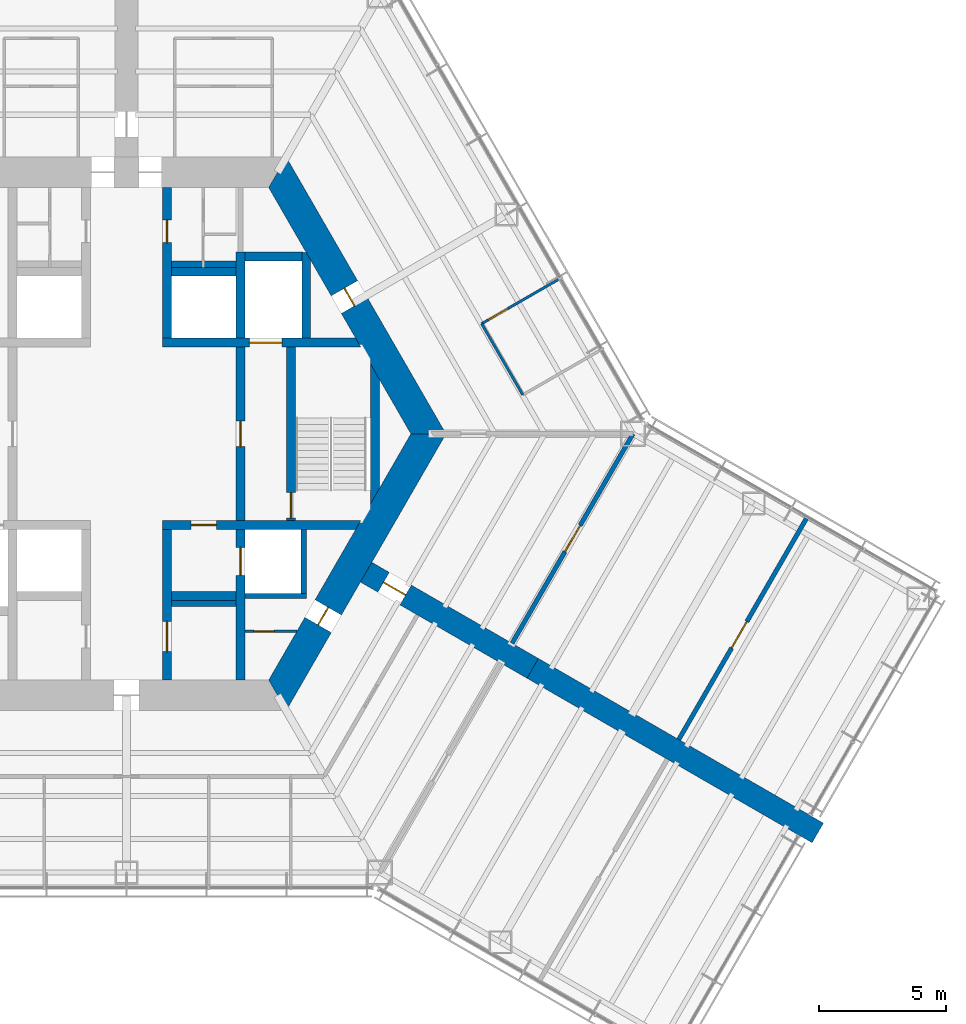
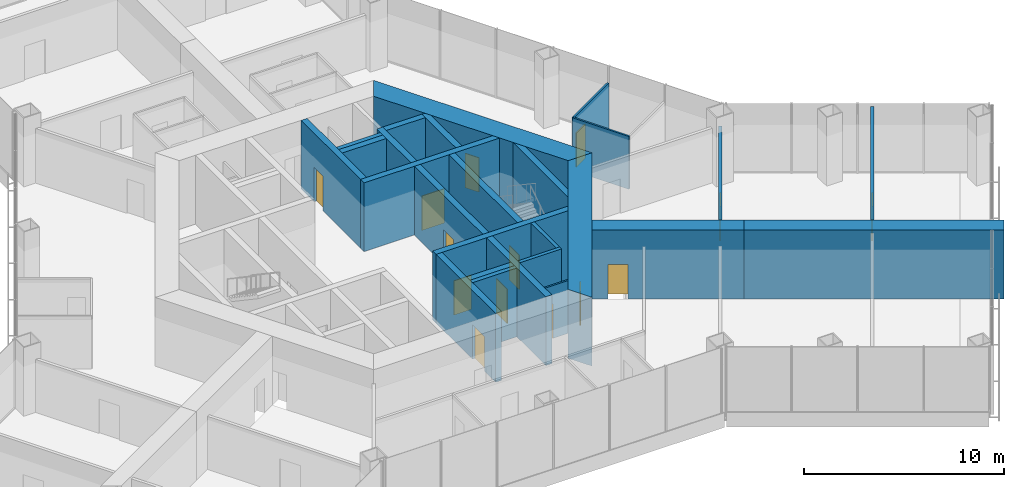
# One storey, part 12 of 16: 26 walls, 14 doors, 14 openings.
"""IFC4 building model written with IfcOpenShell, lengths in metres."""

from ifc_helpers import new_model, si_unit, direction, frame, frame_2d, origin, place, context, subcontext, project, spatial, polyline, rectangle, outline, extrude, material, layer, layer_set, type_object, element, fill, save


model = new_model("IFC4")

# Units and contexts
model_context = context("Model", 3, precision=1e-05, world=origin(), true_north=direction((0.0, 1.0)))
body_context = subcontext(model_context, "Body", "Model", "MODEL_VIEW")
ifc_project = project(units=[si_unit("LENGTHUNIT", "METRE"), si_unit("AREAUNIT", "SQUARE_METRE"), si_unit("VOLUMEUNIT", "CUBIC_METRE"), si_unit("PLANEANGLEUNIT", "RADIAN"), si_unit("MASSUNIT", "GRAM", prefix="KILO")], contexts=[model_context])

# Site, building, storey
site_placement = place(None, origin())
site = spatial("IfcSite", under=ifc_project, at=site_placement, CompositionType="ELEMENT")
building_placement = place(site_placement, origin())
building = spatial("IfcBuilding", under=site, at=building_placement, Name="Kasaneha Research Tower", CompositionType="ELEMENT")
storey_placement = place(building_placement, frame((0.0, 0.0, 26.800048828125)))
storey = spatial("IfcBuildingStorey", under=building, at=storey_placement, Name="L07", CompositionType="ELEMENT", Elevation=26.800048828125)

# Wall, opening, door
ifc_material_1 = material(Name="Concrete Fc100", Category="concrete")
ifc_layer_1 = layer(ifc_material_1, 0.35009765625)
ifc_layer_set_1 = layer_set([ifc_layer_1], Name="Core internal wall 350 Fc100")
wall_type_1 = type_object("IfcWallType", Name="Core internal wall 350 Fc100", PredefinedType="SHEAR", material=ifc_layer_set_1)
wall_1_placement = place(storey_placement, frame((1.425048828125, 3.60009765625, 0.0), z_axis=(0.0, 0.0, 1.0), x_axis=(1.0, 0.0, 0.0)))
wall_1 = element("IfcWall", 1, at=wall_1_placement, inside=storey, type_object=wall_type_1, Name="Core wall W1E L07", PredefinedType="SHEAR", context=body_context, shape_type="SweptSolid", body=[
    extrude(outline(polyline([(0.0, -0.175048828125), (3.425048828125, -0.175048828125), (4.72509765625, -0.175048828125), (7.8271484375, -0.175048828125), (7.625, 0.175048828125), (4.72509765625, 0.175048828125), (3.425048828125, 0.175048828125), (0.0, 0.175048828125), (0.0, -0.175048828125)])), origin(), (0.0, 0.0, 1.0), 4.199951171875),
])
opening_1_placement = place(wall_1_placement, frame((3.425048828125, 0.0, 0.0)))
opening_1 = element("IfcOpeningElement", 2, at=opening_1_placement, cuts=wall_1, Name="Opening LD-FL1-L07", PredefinedType="OPENING", context=body_context, shape_type="SweptSolid", body=[
    extrude(rectangle(XDim=1.300048828125, YDim=2.10009765625, at=frame_2d((0.64990234375, 1.050048828125))), frame((0.0, 0.18505859375, 0.0), z_axis=(0.0, -1.0, 0.0), x_axis=(1.0, 0.0, 0.0)), (0.0, 0.0, 1.0), 0.3701171875),
])
ifc_material_2 = material(Name="Steel", Category="steel")
door_type_1 = type_object("IfcDoorType", Name="Lift landing door 1300x2100", OperationType="DOUBLE_DOOR_SLIDING", PredefinedType="DOOR", material=ifc_material_2)
door_1_placement = place(opening_1_placement, origin())
door_1 = element("IfcDoor", 3, at=door_1_placement, inside=storey, type_object=door_type_1, Name="Landing door FL1 LD-FL1-L07", OperationType="DOUBLE_DOOR_SLIDING", OverallHeight=2.10009765625, OverallWidth=1.300048828125, PredefinedType="DOOR", context=body_context, shape_type="SweptSolid", body=[
    extrude(rectangle(XDim=1.300048828125, YDim=2.10009765625, at=frame_2d((0.64990234375, 1.050048828125))), frame((0.0, 0.02490234375, 0.0), z_axis=(0.0, -1.0, 0.0), x_axis=(1.0, 0.0, 0.0)), (0.0, 0.0, 1.0), 0.050048828125),
])
fill(opening_1, door_1)

wall_2_placement = place(storey_placement, frame((1.425048828125, -3.60009765625, 0.0), z_axis=(0.0, 0.0, 1.0), x_axis=(1.0, 0.0, 0.0)))
wall_2 = element("IfcWall", 4, at=wall_2_placement, inside=storey, type_object=wall_type_1, Name="Core wall W2E L07", PredefinedType="SHEAR", context=body_context, shape_type="SweptSolid", body=[
    extrude(outline(polyline([(0.0, -0.175048828125), (1.125, -0.175048828125), (2.125, -0.175048828125), (7.625, -0.175048828125), (7.8271484375, 0.175048828125), (2.125, 0.175048828125), (1.125, 0.175048828125), (0.0, 0.175048828125), (0.0, -0.175048828125)])), origin(), (0.0, 0.0, 1.0), 4.199951171875),
])
opening_2_placement = place(wall_2_placement, frame((1.125, 0.0, 0.0)))
opening_2 = element("IfcOpeningElement", 5, at=opening_2_placement, cuts=wall_2, Name="Opening L07-LV", PredefinedType="OPENING", context=body_context, shape_type="SweptSolid", body=[
    extrude(rectangle(XDim=1.0, YDim=2.10009765625, at=frame_2d((0.5, 1.050048828125))), frame((0.0, 0.18505859375, 0.0), z_axis=(0.0, -1.0, 0.0), x_axis=(1.0, 0.0, 0.0)), (0.0, 0.0, 1.0), 0.3701171875),
])
ifc_material_3 = material(Name="Steel", Category="steel")
door_type_2 = type_object("IfcDoorType", Name="Specified fire door FD60 1000x2100", OperationType="NOTDEFINED", PredefinedType="DOOR", material=ifc_material_3)
door_2_placement = place(opening_2_placement, origin())
door_2 = element("IfcDoor", 6, at=door_2_placement, inside=storey, type_object=door_type_2, Name="Podium vestibule door L07-LV", OperationType="SINGLE_SWING_LEFT", OverallHeight=2.10009765625, OverallWidth=1.0, PredefinedType="DOOR", context=body_context, shape_type="SweptSolid", body=[
    extrude(rectangle(XDim=1.0, YDim=2.10009765625, at=frame_2d((0.5, 1.050048828125))), frame((0.0, 0.02490234375, 0.0), z_axis=(0.0, -1.0, 0.0), x_axis=(1.0, 0.0, 0.0)), (0.0, 0.0, 1.0), 0.050048828125),
])
fill(opening_2, door_2)

wall_3_placement = place(storey_placement, frame((1.60009765625, 3.77490234375, 0.0), z_axis=(0.0, 0.0, 1.0), x_axis=(0.0, 1.0, 0.0)))
wall_3 = element("IfcWall", 7, at=wall_3_placement, inside=storey, type_object=wall_type_1, Name="Core wall CNE L07", PredefinedType="SHEAR", context=body_context, shape_type="SweptSolid", body=[
    extrude(rectangle(XDim=5.9501953125, YDim=0.35009765625, at=frame_2d((2.97509765625, 0.0))), origin(), (0.0, 0.0, 1.0), 4.199951171875),
])
opening_3_placement = place(wall_3_placement, frame((3.77490234375, 0.0, 0.0)))
opening_3 = element("IfcOpeningElement", 8, at=opening_3_placement, cuts=wall_3, Name="Opening L07-D14", PredefinedType="OPENING", context=body_context, shape_type="SweptSolid", body=[
    extrude(rectangle(XDim=0.89990234375, YDim=2.10009765625, at=frame_2d((0.449951171875, 1.050048828125))), frame((0.0, 0.18505859375, 0.0), z_axis=(0.0, -1.0, 0.0), x_axis=(1.0, 0.0, 0.0)), (0.0, 0.0, 1.0), 0.3701171875),
])
ifc_material_4 = material(Name="Steel", Category="steel")
door_type_3 = type_object("IfcDoorType", Name="Toilet door FD20 900x2100", OperationType="NOTDEFINED", PredefinedType="DOOR", material=ifc_material_4)
door_3_placement = place(opening_3_placement, origin())
door_3 = element("IfcDoor", 9, at=door_3_placement, inside=storey, type_object=door_type_3, Name="Women's WC door L07-D14", OperationType="SINGLE_SWING_LEFT", OverallHeight=2.10009765625, OverallWidth=0.89990234375, PredefinedType="DOOR", context=body_context, shape_type="SweptSolid", body=[
    extrude(rectangle(XDim=0.89990234375, YDim=2.10009765625, at=frame_2d((0.449951171875, 1.050048828125))), frame((0.0, 0.02490234375, 0.0), z_axis=(0.0, -1.0, 0.0), x_axis=(1.0, 0.0, 0.0)), (0.0, 0.0, 1.0), 0.050048828125),
])
fill(opening_3, door_3)

wall_4_placement = place(storey_placement, frame((1.60009765625, -3.77490234375, 0.0), z_axis=(0.0, 0.0, 1.0), x_axis=(0.0, -1.0, 0.0)))
wall_4 = element("IfcWall", 10, at=wall_4_placement, inside=storey, type_object=wall_type_1, Name="Core wall CSE L07", PredefinedType="SHEAR", context=body_context, shape_type="SweptSolid", body=[
    extrude(rectangle(XDim=5.9501953125, YDim=0.35009765625, at=frame_2d((2.97509765625, 0.0))), origin(), (0.0, 0.0, 1.0), 4.199951171875),
])
opening_4_placement = place(wall_4_placement, frame((3.625, 0.0, 0.0)))
opening_4 = element("IfcOpeningElement", 11, at=opening_4_placement, cuts=wall_4, Name="Opening L07-D15", PredefinedType="OPENING", context=body_context, shape_type="SweptSolid", body=[
    extrude(rectangle(XDim=1.199951171875, YDim=2.10009765625, at=frame_2d((0.60009765625, 1.050048828125))), frame((0.0, 0.18505859375, 0.0), z_axis=(0.0, -1.0, 0.0), x_axis=(1.0, 0.0, 0.0)), (0.0, 0.0, 1.0), 0.3701171875),
])
ifc_material_5 = material(Name="Steel", Category="steel")
door_type_4 = type_object("IfcDoorType", Name="Accessible toilet sliding door FD20 1200x2100", OperationType="SLIDING_TO_LEFT", PredefinedType="DOOR", material=ifc_material_5)
door_4_placement = place(opening_4_placement, origin())
door_4 = element("IfcDoor", 12, at=door_4_placement, inside=storey, type_object=door_type_4, Name="Accessible WC door L07-D15", OperationType="SLIDING_TO_LEFT", OverallHeight=2.10009765625, OverallWidth=1.199951171875, PredefinedType="DOOR", context=body_context, shape_type="SweptSolid", body=[
    extrude(rectangle(XDim=1.199951171875, YDim=2.10009765625, at=frame_2d((0.60009765625, 1.050048828125))), frame((0.0, 0.02490234375, 0.0), z_axis=(0.0, -1.0, 0.0), x_axis=(1.0, 0.0, 0.0)), (0.0, 0.0, 1.0), 0.050048828125),
])
fill(opening_4, door_4)

wall_5_placement = place(storey_placement, frame((4.5, -3.425048828125, 0.0), z_axis=(0.0, 0.0, 1.0), x_axis=(0.0, 1.0, 0.0)))
wall_5 = element("IfcWall", 13, at=wall_5_placement, inside=storey, type_object=wall_type_1, Name="Core wall LBE L07", PredefinedType="SHEAR", context=body_context, shape_type="SweptSolid", body=[
    extrude(rectangle(XDim=6.85009765625, YDim=0.35009765625, at=frame_2d((3.425048828125, 0.0))), origin(), (0.0, 0.0, 1.0), 4.199951171875),
])
opening_5_placement = place(wall_5_placement, frame((2.925048828125, 0.0, 0.0)))
opening_5 = element("IfcOpeningElement", 14, at=opening_5_placement, cuts=wall_5, Name="Opening L07-D08", PredefinedType="OPENING", context=body_context, shape_type="SweptSolid", body=[
    extrude(rectangle(XDim=1.0, YDim=2.10009765625, at=frame_2d((0.5, 1.050048828125))), frame((0.0, 0.18505859375, 0.0), z_axis=(0.0, -1.0, 0.0), x_axis=(1.0, 0.0, 0.0)), (0.0, 0.0, 1.0), 0.3701171875),
])
door_5_placement = place(opening_5_placement, origin())
door_5 = element("IfcDoor", 15, at=door_5_placement, inside=storey, type_object=door_type_2, Name="Lift lobby door east L07-D08", OperationType="SINGLE_SWING_LEFT", OverallHeight=2.10009765625, OverallWidth=1.0, PredefinedType="DOOR", context=body_context, shape_type="SweptSolid", body=[
    extrude(rectangle(XDim=1.0, YDim=2.10009765625, at=frame_2d((0.5, 1.050048828125))), frame((0.0, 0.02490234375, 0.0), z_axis=(0.0, -1.0, 0.0), x_axis=(1.0, 0.0, 0.0)), (0.0, 0.0, 1.0), 0.050048828125),
])
fill(opening_5, door_5)

wall_6_placement = place(storey_placement, frame((6.5, -3.425048828125, 0.0), z_axis=(0.0, 0.0, 1.0), x_axis=(0.0, 1.0, 0.0)))
wall_6 = element("IfcWall", 16, at=wall_6_placement, inside=storey, type_object=wall_type_1, Name="Core wall ANE L07", PredefinedType="SHEAR", context=body_context, shape_type="SweptSolid", body=[
    extrude(rectangle(XDim=6.85009765625, YDim=0.35009765625, at=frame_2d((3.425048828125, 0.0))), origin(), (0.0, 0.0, 1.0), 4.199951171875),
])
opening_6_placement = place(wall_6_placement, frame((0.10009765625, 0.0, 0.0)))
opening_6 = element("IfcOpeningElement", 17, at=opening_6_placement, cuts=wall_6, Name="Opening L07-D10", PredefinedType="OPENING", context=body_context, shape_type="SweptSolid", body=[
    extrude(rectangle(XDim=1.0, YDim=2.10009765625, at=frame_2d((0.5, 1.050048828125))), frame((0.0, 0.18505859375, 0.0), z_axis=(0.0, -1.0, 0.0), x_axis=(1.0, 0.0, 0.0)), (0.0, 0.0, 1.0), 0.3701171875),
])
door_6_placement = place(opening_6_placement, origin())
door_6 = element("IfcDoor", 18, at=door_6_placement, inside=storey, type_object=door_type_2, Name="Stair 1 door L07-D10", OperationType="SINGLE_SWING_LEFT", OverallHeight=2.10009765625, OverallWidth=1.0, PredefinedType="DOOR", context=body_context, shape_type="SweptSolid", body=[
    extrude(rectangle(XDim=1.0, YDim=2.10009765625, at=frame_2d((0.5, 1.050048828125))), frame((0.0, 0.02490234375, 0.0), z_axis=(0.0, -1.0, 0.0), x_axis=(1.0, 0.0, 0.0)), (0.0, 0.0, 1.0), 0.050048828125),
])
fill(opening_6, door_6)

# Wall
wall_7_placement = place(storey_placement, frame((4.5, 3.77490234375, 0.0), z_axis=(0.0, 0.0, 1.0), x_axis=(0.0, 1.0, 0.0)))
element("IfcWall", 19, at=wall_7_placement, inside=storey, type_object=wall_type_1, Name="Core wall FNE L07", PredefinedType="SHEAR", context=body_context, shape_type="SweptSolid", body=[
    extrude(rectangle(XDim=3.400146484375, YDim=0.35009765625, at=frame_2d((1.7001953125, 0.0))), origin(), (0.0, 0.0, 1.0), 4.199951171875),
])

# Wall, opening, door
wall_8_placement = place(storey_placement, frame((4.5, -3.77490234375, 0.0), z_axis=(0.0, 0.0, 1.0), x_axis=(0.0, -1.0, 0.0)))
wall_8 = element("IfcWall", 20, at=wall_8_placement, inside=storey, type_object=wall_type_1, Name="Core wall SSE L07", PredefinedType="SHEAR", context=body_context, shape_type="SweptSolid", body=[
    extrude(rectangle(XDim=5.9501953125, YDim=0.35009765625, at=frame_2d((2.97509765625, 0.0))), origin(), (0.0, 0.0, 1.0), 4.199951171875),
])
opening_7_placement = place(wall_8_placement, frame((0.71240234375, 0.0, 0.0)))
opening_7 = element("IfcOpeningElement", 21, at=opening_7_placement, cuts=wall_8, Name="Opening LD-PL1-L07", PredefinedType="OPENING", context=body_context, shape_type="SweptSolid", body=[
    extrude(rectangle(XDim=1.10009765625, YDim=2.10009765625, at=frame_2d((0.550048828125, 1.050048828125))), frame((0.0, 0.18505859375, 0.0), z_axis=(0.0, -1.0, 0.0), x_axis=(1.0, 0.0, 0.0)), (0.0, 0.0, 1.0), 0.3701171875),
])
ifc_material_6 = material(Name="Steel", Category="steel")
door_type_5 = type_object("IfcDoorType", Name="Lift landing door 1100x2100", OperationType="DOUBLE_DOOR_SLIDING", PredefinedType="DOOR", material=ifc_material_6)
door_7_placement = place(opening_7_placement, origin())
door_7 = element("IfcDoor", 22, at=door_7_placement, inside=storey, type_object=door_type_5, Name="Landing door PL1 LD-PL1-L07", OperationType="DOUBLE_DOOR_SLIDING", OverallHeight=2.10009765625, OverallWidth=1.10009765625, PredefinedType="DOOR", context=body_context, shape_type="SweptSolid", body=[
    extrude(rectangle(XDim=1.10009765625, YDim=2.10009765625, at=frame_2d((0.550048828125, 1.050048828125))), frame((0.0, 0.02490234375, 0.0), z_axis=(0.0, -1.0, 0.0), x_axis=(1.0, 0.0, 0.0)), (0.0, 0.0, 1.0), 0.050048828125),
])
fill(opening_7, door_7)

# Walls
for number, where, z_axis, x_axis, name in (
    (23, (1.77490234375, 6.39990234375, 0.0), (0.0, 0.0, 1.0), (1.0, 0.0, 0.0), "Core wall N3N L07"),
    (24, (1.77490234375, -6.39990234375, 0.0), (0.0, 0.0, 1.0), (1.0, 0.0, 0.0), "Core wall S3S L07"),
):
    element("IfcWall", number, at=place(storey_placement, frame(where, z_axis=z_axis, x_axis=x_axis)), inside=storey, type_object=wall_type_1, Name=name, PredefinedType="SHEAR", context=body_context, shape_type="SweptSolid", body=[
        extrude(rectangle(XDim=2.550048828125, YDim=0.35009765625, at=frame_2d((1.27490234375, 0.0))), origin(), (0.0, 0.0, 1.0), 4.199951171875),
    ])
wall_9_placement = place(storey_placement, frame((4.675048828125, 7.0, 0.0), z_axis=(0.0, 0.0, 1.0), x_axis=(1.0, 0.0, 0.0)))
element("IfcWall", 25, at=wall_9_placement, inside=storey, type_object=wall_type_1, Name="Core wall F1N L07", PredefinedType="SHEAR", context=body_context, shape_type="SweptSolid", body=[
    extrude(rectangle(XDim=2.25, YDim=0.35009765625, at=frame_2d((1.125, 0.0))), origin(), (0.0, 0.0, 1.0), 4.199951171875),
])
wall_10_placement = place(storey_placement, frame((7.10009765625, 3.77490234375, 0.0), z_axis=(0.0, 0.0, 1.0), x_axis=(0.0, 1.0, 0.0)))
element("IfcWall", 26, at=wall_10_placement, inside=storey, type_object=wall_type_1, Name="Core wall F1E L07", PredefinedType="SHEAR", context=body_context, shape_type="SweptSolid", body=[
    extrude(outline(polyline([(0.0, -0.175048828125), (3.07421875, -0.175048828125), (3.37744140625, 0.0), (3.39990234375, 0.175048828125), (0.0, 0.175048828125), (0.0, -0.175048828125)])), origin(), (0.0, 0.0, 1.0), 4.199951171875),
])
wall_11_placement = place(storey_placement, frame((9.807861328125, -2.462158203125, 0.0), z_axis=(0.0, 0.0, 1.0), x_axis=(0.0, 1.0, 0.0)))
element("IfcWall", 27, at=wall_11_placement, inside=storey, type_object=wall_type_1, Name="Core wall STE L07", PredefinedType="SHEAR", context=body_context, shape_type="SweptSolid", body=[
    extrude(outline(polyline([(0.30322265625, -0.175048828125), (4.62109375, -0.175048828125), (5.2275390625, 0.175048828125), (-0.30322265625, 0.175048828125), (0.30322265625, -0.175048828125)])), origin(), (0.0, 0.0, 1.0), 4.199951171875),
])

# Wall, opening, door
ifc_material_7 = material(Name="Concrete Fc100", Category="concrete")
ifc_layer_2 = layer(ifc_material_7, 1.199951171875)
ifc_layer_set_2 = layer_set([ifc_layer_2], Name="Core wall 1200 Fc100")
wall_type_2 = type_object("IfcWallType", Name="Core wall 1200 Fc100", PredefinedType="SHEAR", material=ifc_layer_set_2)
wall_12_placement = place(storey_placement, frame((11.92236328125, 0.0, 0.0), z_axis=(0.0, 0.0, 1.0), x_axis=(-0.500004296715, 0.866022923061, 0.0)))
wall_12 = element("IfcWall", 28, at=wall_12_placement, inside=storey, type_object=wall_type_2, Name="Core wall 030 L07", PredefinedType="SHEAR", context=body_context, shape_type="SweptSolid", body=[
    extrude(outline(polyline([(-0.346435546875, -0.60009765625), (5.83544921875, -0.60009765625), (6.635498046875, -0.60009765625), (12.268798828125, -0.60009765625), (11.575927734375, 0.60009765625), (6.635498046875, 0.60009765625), (5.83544921875, 0.60009765625), (0.346435546875, 0.60009765625), (-0.346435546875, -0.60009765625)])), origin(), (0.0, 0.0, 1.0), 4.199951171875),
])
opening_8_placement = place(wall_12_placement, frame((5.83544921875, 0.0, 0.0)))
opening_8 = element("IfcOpeningElement", 29, at=opening_8_placement, cuts=wall_12, Name="Opening L07-D04", PredefinedType="OPENING", context=body_context, shape_type="SweptSolid", body=[
    extrude(rectangle(XDim=0.800048828125, YDim=2.10009765625, at=frame_2d((0.39990234375, 1.050048828125))), frame((0.0, 0.60986328125, 0.0), z_axis=(0.0, -1.0, 0.0), x_axis=(1.0, 0.0, 0.0)), (0.0, 0.0, 1.0), 1.219970703125),
])
ifc_material_8 = material(Name="Steel", Category="steel")
door_type_6 = type_object("IfcDoorType", Name="Riser access door FD60 800x2100", OperationType="NOTDEFINED", PredefinedType="DOOR", material=ifc_material_8)
door_8_placement = place(opening_8_placement, origin())
door_8 = element("IfcDoor", 30, at=door_8_placement, inside=storey, type_object=door_type_6, Name="Pipe riser door L07-D04", OperationType="SINGLE_SWING_RIGHT", OverallHeight=2.10009765625, OverallWidth=0.800048828125, PredefinedType="DOOR", context=body_context, shape_type="SweptSolid", body=[
    extrude(rectangle(XDim=0.800048828125, YDim=2.10009765625, at=frame_2d((0.39990234375, 1.050048828125))), frame((0.0, 0.02490234375, 0.0), z_axis=(0.0, -1.0, 0.0), x_axis=(1.0, 0.0, 0.0)), (0.0, 0.0, 1.0), 0.050048828125),
])
fill(opening_8, door_8)

wall_13_placement = place(storey_placement, frame((5.961181640625, -10.324951171875, 0.0), z_axis=(0.0, 0.0, 1.0), x_axis=(0.500004296715, 0.866022923061, 0.0)))
wall_13 = element("IfcWall", 31, at=wall_13_placement, inside=storey, type_object=wall_type_2, Name="Core wall 330 L07", PredefinedType="SHEAR", context=body_context, shape_type="SweptSolid", body=[
    extrude(outline(polyline([(-0.346435546875, -0.60009765625), (3.20849609375, -0.60009765625), (4.008544921875, -0.60009765625), (12.268798828125, -0.60009765625), (11.575927734375, 0.60009765625), (4.008544921875, 0.60009765625), (3.20849609375, 0.60009765625), (0.346435546875, 0.60009765625), (-0.346435546875, -0.60009765625)])), origin(), (0.0, 0.0, 1.0), 4.199951171875),
])
opening_9_placement = place(wall_13_placement, frame((3.20849609375, 0.0, 0.0)))
opening_9 = element("IfcOpeningElement", 32, at=opening_9_placement, cuts=wall_13, Name="Opening L07-D05", PredefinedType="OPENING", context=body_context, shape_type="SweptSolid", body=[
    extrude(rectangle(XDim=0.800048828125, YDim=2.10009765625, at=frame_2d((0.39990234375, 1.050048828125))), frame((0.0, 0.60986328125, 0.0), z_axis=(0.0, -1.0, 0.0), x_axis=(1.0, 0.0, 0.0)), (0.0, 0.0, 1.0), 1.219970703125),
])
door_9_placement = place(opening_9_placement, origin())
door_9 = element("IfcDoor", 33, at=door_9_placement, inside=storey, type_object=door_type_6, Name="Pipe riser door L07-D05", OperationType="SINGLE_SWING_LEFT", OverallHeight=2.10009765625, OverallWidth=0.800048828125, PredefinedType="DOOR", context=body_context, shape_type="SweptSolid", body=[
    extrude(rectangle(XDim=0.800048828125, YDim=2.10009765625, at=frame_2d((0.39990234375, 1.050048828125))), frame((0.0, 0.02490234375, 0.0), z_axis=(0.0, -1.0, 0.0), x_axis=(1.0, 0.0, 0.0)), (0.0, 0.0, 1.0), 0.050048828125),
])
fill(opening_9, door_9)

ifc_material_9 = material(Name="Gypsum board on steel studs, two layers each side", Category="steel")
ifc_layer_3 = layer(ifc_material_9, 0.175048828125)
ifc_layer_set_3 = layer_set([ifc_layer_3], Name="Laboratory fire partition 175")
wall_type_3 = type_object("IfcWallType", Name="Laboratory fire partition 175", PredefinedType="PARTITIONING", material=ifc_layer_set_3)
wall_14_placement = place(storey_placement, frame((15.22509765625, -8.2705078125, 0.0), z_axis=(0.0, 0.0, 1.0), x_axis=(0.499993908199, 0.866028920859, 0.0)))
wall_14 = element("IfcWall", 34, at=wall_14_placement, inside=storey, type_object=wall_type_3, Name="Laboratory fire partition LABC-E L07", PredefinedType="PARTITIONING", context=body_context, shape_type="SweptSolid", body=[
    extrude(rectangle(XDim=9.5498046875, YDim=0.175048828125, at=frame_2d((4.77490234375, 0.0))), origin(), (0.0, 0.0, 1.0), 3.238037109375),
])
opening_10_placement = place(wall_14_placement, frame((4.175048828125, 0.0, 0.0)))
opening_10 = element("IfcOpeningElement", 35, at=opening_10_placement, cuts=wall_14, Name="Opening L07-D42", PredefinedType="OPENING", context=body_context, shape_type="SweptSolid", body=[
    extrude(rectangle(XDim=1.199951171875, YDim=2.10009765625, at=frame_2d((0.60009765625, 1.050048828125))), frame((0.0, 0.09765625, 0.0), z_axis=(0.0, -1.0, 0.0), x_axis=(1.0, 0.0, 0.0)), (0.0, 0.0, 1.0), 0.195068359375),
])
ifc_material_10 = material(Name="Steel", Category="steel")
door_type_7 = type_object("IfcDoorType", Name="Laboratory door FD60 1200x2100", OperationType="DOUBLE_DOOR_SINGLE_SWING", PredefinedType="DOOR", material=ifc_material_10)
door_10_placement = place(opening_10_placement, origin())
door_10 = element("IfcDoor", 36, at=door_10_placement, inside=storey, type_object=door_type_7, Name="Laboratory door L07-D42", OperationType="DOUBLE_DOOR_SINGLE_SWING", OverallHeight=2.10009765625, OverallWidth=1.199951171875, PredefinedType="DOOR", context=body_context, shape_type="SweptSolid", body=[
    extrude(rectangle(XDim=1.199951171875, YDim=2.10009765625, at=frame_2d((0.60009765625, 1.050048828125))), frame((0.0, 0.02490234375, 0.0), z_axis=(0.0, -1.0, 0.0), x_axis=(1.0, 0.0, 0.0)), (0.0, 0.0, 1.0), 0.050048828125),
])
fill(opening_10, door_10)

wall_15_placement = place(storey_placement, frame((21.806884765625, -12.070556640625, 0.0), z_axis=(0.0, 0.0, 1.0), x_axis=(0.499994227129, 0.866028736727, 0.0)))
wall_15 = element("IfcWall", 37, at=wall_15_placement, inside=storey, type_object=wall_type_3, Name="Laboratory fire partition SUPC-E L07", PredefinedType="PARTITIONING", context=body_context, shape_type="SweptSolid", body=[
    extrude(rectangle(XDim=10.134765625, YDim=0.175048828125, at=frame_2d((5.0673828125, 0.0))), origin(), (0.0, 0.0, 1.0), 4.030029296875),
])
opening_11_placement = place(wall_15_placement, frame((4.175048828125, 0.0, 0.0)))
opening_11 = element("IfcOpeningElement", 38, at=opening_11_placement, cuts=wall_15, Name="Opening L07-D43", PredefinedType="OPENING", context=body_context, shape_type="SweptSolid", body=[
    extrude(rectangle(XDim=1.199951171875, YDim=2.10009765625, at=frame_2d((0.60009765625, 1.050048828125))), frame((0.0, 0.09765625, 0.0), z_axis=(0.0, -1.0, 0.0), x_axis=(1.0, 0.0, 0.0)), (0.0, 0.0, 1.0), 0.195068359375),
])
door_11_placement = place(opening_11_placement, origin())
door_11 = element("IfcDoor", 39, at=door_11_placement, inside=storey, type_object=door_type_7, Name="Laboratory support room door L07-D43", OperationType="DOUBLE_DOOR_SINGLE_SWING", OverallHeight=2.10009765625, OverallWidth=1.199951171875, PredefinedType="DOOR", context=body_context, shape_type="SweptSolid", body=[
    extrude(rectangle(XDim=1.199951171875, YDim=2.10009765625, at=frame_2d((0.60009765625, 1.050048828125))), frame((0.0, 0.02490234375, 0.0), z_axis=(0.0, -1.0, 0.0), x_axis=(1.0, 0.0, 0.0)), (0.0, 0.0, 1.0), 0.050048828125),
])
fill(opening_11, door_11)

# Walls
ifc_material_11 = material(Name="Concrete block", Category="concrete")
ifc_layer_4 = layer(ifc_material_11, 0.199951171875)
ifc_layer_set_4 = layer_set([ifc_layer_4], Name="Lift shaft wall 200")
wall_type_4 = type_object("IfcWallType", Name="Lift shaft wall 200", PredefinedType="STANDARD", material=ifc_layer_set_4)
wall_16_placement = place(storey_placement, frame((4.675048828125, -6.39990234375, 0.0), z_axis=(0.0, 0.0, 1.0), x_axis=(1.0, 0.0, 0.0)))
element("IfcWall", 40, at=wall_16_placement, inside=storey, type_object=wall_type_4, Name="Lift shaft wall P1S L07", PredefinedType="STANDARD", context=body_context, shape_type="SweptSolid", body=[
    extrude(rectangle(XDim=2.425048828125, YDim=0.199951171875, at=frame_2d((1.21240234375, 0.0))), origin(), (0.0, 0.0, 1.0), 4.199951171875),
])
wall_17_placement = place(storey_placement, frame((7.0, -3.77490234375, 0.0), z_axis=(0.0, 0.0, 1.0), x_axis=(0.0, -1.0, 0.0)))
element("IfcWall", 41, at=wall_17_placement, inside=storey, type_object=wall_type_4, Name="Lift shaft wall P1E L07", PredefinedType="STANDARD", context=body_context, shape_type="SweptSolid", body=[
    extrude(rectangle(XDim=2.525146484375, YDim=0.199951171875, at=frame_2d((1.2626953125, 0.0))), origin(), (0.0, 0.0, 1.0), 4.199951171875),
])

# Wall, opening, door
ifc_material_12 = material(Name="Gypsum board on steel studs, one layer each side", Category="steel")
ifc_layer_5 = layer(ifc_material_12, 0.10009765625)
ifc_layer_set_5 = layer_set([ifc_layer_5], Name="Office partition 100")
wall_type_5 = type_object("IfcWallType", Name="Office partition 100", PredefinedType="PARTITIONING", material=ifc_layer_set_5)
wall_18_placement = place(storey_placement, frame((4.675048828125, -7.800048828125, 0.0), z_axis=(0.0, 0.0, 1.0), x_axis=(1.0, 0.0, 0.0)))
wall_18 = element("IfcWall", 42, at=wall_18_placement, inside=storey, type_object=wall_type_5, Name="Office partition RS-SE L07", PredefinedType="PARTITIONING", context=body_context, shape_type="SweptSolid", body=[
    extrude(outline(polyline([(0.0, -0.050048828125), (0.35009765625, -0.050048828125), (1.150146484375, -0.050048828125), (2.022216796875, -0.050048828125), (2.051025390625, 0.0), (2.056884765625, 0.050048828125), (1.150146484375, 0.050048828125), (0.35009765625, 0.050048828125), (0.0, 0.050048828125), (0.0, -0.050048828125)])), origin(), (0.0, 0.0, 1.0), 3.22998046875),
])
opening_12_placement = place(wall_18_placement, frame((0.35009765625, 0.0, 0.0)))
opening_12 = element("IfcOpeningElement", 43, at=opening_12_placement, cuts=wall_18, Name="Opening L07-D24", PredefinedType="OPENING", context=body_context, shape_type="SweptSolid", body=[
    extrude(rectangle(XDim=0.800048828125, YDim=2.10009765625, at=frame_2d((0.39990234375, 1.050048828125))), frame((0.0, 0.06005859375, 0.0), z_axis=(0.0, -1.0, 0.0), x_axis=(1.0, 0.0, 0.0)), (0.0, 0.0, 1.0), 0.1201171875),
])
door_12_placement = place(opening_12_placement, origin())
door_12 = element("IfcDoor", 44, at=door_12_placement, inside=storey, type_object=door_type_6, Name="Drainage riser door L07-D24", OperationType="SINGLE_SWING_LEFT", OverallHeight=2.10009765625, OverallWidth=0.800048828125, PredefinedType="DOOR", context=body_context, shape_type="SweptSolid", body=[
    extrude(rectangle(XDim=0.800048828125, YDim=2.10009765625, at=frame_2d((0.39990234375, 1.050048828125))), frame((0.0, 0.02490234375, 0.0), z_axis=(0.0, -1.0, 0.0), x_axis=(1.0, 0.0, 0.0)), (0.0, 0.0, 1.0), 0.050048828125),
])
fill(opening_12, door_12)

wall_19_placement = place(storey_placement, frame((14.025146484375, 4.348876953125, 0.0), z_axis=(0.0, 0.0, 1.0), x_axis=(0.866043466982, 0.49996871232, 0.0)))
wall_19 = element("IfcWall", 45, at=wall_19_placement, inside=storey, type_object=wall_type_5, Name="Office partition FAE01 L07", PredefinedType="PARTITIONING", context=body_context, shape_type="SweptSolid", body=[
    extrude(rectangle(XDim=3.489990234375, YDim=0.10009765625, at=frame_2d((1.7451171875, 0.0))), origin(), (0.0, 0.0, 1.0), 3.22998046875),
])
opening_13_placement = place(wall_19_placement, frame((0.300048828125, 0.0, 0.0)))
opening_13 = element("IfcOpeningElement", 46, at=opening_13_placement, cuts=wall_19, Name="Opening L07-D31", PredefinedType="OPENING", context=body_context, shape_type="SweptSolid", body=[
    extrude(rectangle(XDim=0.89990234375, YDim=2.10009765625, at=frame_2d((0.449951171875, 1.050048828125))), frame((0.0, 0.06005859375, 0.0), z_axis=(0.0, -1.0, 0.0), x_axis=(1.0, 0.0, 0.0)), (0.0, 0.0, 1.0), 0.1201171875),
])
ifc_material_13 = material(Name="Timber veneer", Category="wood")
door_type_8 = type_object("IfcDoorType", Name="Office door 900x2100", OperationType="SINGLE_SWING_LEFT", PredefinedType="DOOR", material=ifc_material_13)
door_13_placement = place(opening_13_placement, origin())
door_13 = element("IfcDoor", 47, at=door_13_placement, inside=storey, type_object=door_type_8, Name="Principal investigator office door L07-D31", OperationType="SINGLE_SWING_LEFT", OverallHeight=2.10009765625, OverallWidth=0.89990234375, PredefinedType="DOOR", context=body_context, shape_type="SweptSolid", body=[
    extrude(rectangle(XDim=0.89990234375, YDim=2.10009765625, at=frame_2d((0.449951171875, 1.050048828125))), frame((0.0, 0.02490234375, 0.0), z_axis=(0.0, -1.0, 0.0), x_axis=(1.0, 0.0, 0.0)), (0.0, 0.0, 1.0), 0.050048828125),
])
fill(opening_13, door_13)

# Wall
wall_20_placement = place(storey_placement, frame((15.648193359375, 1.537353515625, 0.0), z_axis=(0.0, 0.0, 1.0), x_axis=(-0.499956811548, 0.866050337213, 0.0)))
element("IfcWall", 48, at=wall_20_placement, inside=storey, type_object=wall_type_5, Name="Office partition FAE02 L07", PredefinedType="PARTITIONING", context=body_context, shape_type="SweptSolid", body=[
    extrude(rectangle(XDim=3.246337890625, YDim=0.10009765625, at=frame_2d((1.623046875, 0.0))), origin(), (0.0, 0.0, 1.0), 3.22998046875),
])

# Wall, opening, door
ifc_material_14 = material(Name="Concrete Fc100", Category="concrete")
ifc_layer_6 = layer(ifc_material_14, 0.89990234375)
ifc_layer_set_6 = layer_set([ifc_layer_6], Name="Spine wall 900 Fc100")
wall_type_6 = type_object("IfcWallType", Name="Spine wall 900 Fc100", PredefinedType="SHEAR", material=ifc_layer_set_6)
wall_21_placement = place(storey_placement, frame((9.46142578125, -5.46240234375, 0.0), z_axis=(0.0, 0.0, 1.0), x_axis=(0.866019116917, -0.500010889016, 0.0)))
wall_21 = element("IfcWall", 49, at=wall_21_placement, inside=storey, type_object=wall_type_6, Name="Spine wall C L07", PredefinedType="SHEAR", context=body_context, shape_type="SweptSolid", body=[
    extrude(rectangle(XDim=7.595458984375, YDim=0.89990234375, at=frame_2d((3.7978515625, 0.0))), origin(), (0.0, 0.0, 1.0), 4.199951171875),
])
opening_14_placement = place(wall_21_placement, frame((0.800048828125, 0.0, 0.0)))
opening_14 = element("IfcOpeningElement", 50, at=opening_14_placement, cuts=wall_21, Name="Opening L07-D19", PredefinedType="OPENING", context=body_context, shape_type="SweptSolid", body=[
    extrude(rectangle(XDim=1.0, YDim=2.10009765625, at=frame_2d((0.5, 1.050048828125))), frame((0.0, 0.4599609375, 0.0), z_axis=(0.0, -1.0, 0.0), x_axis=(1.0, 0.0, 0.0)), (0.0, 0.0, 1.0), 0.919921875),
])
door_14_placement = place(opening_14_placement, origin())
door_14 = element("IfcDoor", 51, at=door_14_placement, inside=storey, type_object=door_type_2, Name="Spine doorway C L07-D19", OperationType="SINGLE_SWING_LEFT", OverallHeight=2.10009765625, OverallWidth=1.0, PredefinedType="DOOR", context=body_context, shape_type="SweptSolid", body=[
    extrude(rectangle(XDim=1.0, YDim=2.10009765625, at=frame_2d((0.5, 1.050048828125))), frame((0.0, 0.02490234375, 0.0), z_axis=(0.0, -1.0, 0.0), x_axis=(1.0, 0.0, 0.0)), (0.0, 0.0, 1.0), 0.050048828125),
])
fill(opening_14, door_14)

# Walls
wall_22_placement = place(storey_placement, frame((16.039306640625, -9.26025390625, 0.0), z_axis=(0.0, 0.0, 1.0), x_axis=(0.866024837091, -0.50000098154, 0.0)))
element("IfcWall", 52, at=wall_22_placement, inside=storey, type_object=wall_type_6, Name="Spine wall C wing L07", PredefinedType="SHEAR", context=body_context, shape_type="SweptSolid", body=[
    extrude(rectangle(XDim=13.0, YDim=0.89990234375, at=frame_2d((6.5, 0.0))), origin(), (0.0, 0.0, 1.0), 4.199951171875),
])
ifc_material_15 = material(Name="Concrete block lining", Category="concrete")
ifc_layer_7 = layer(ifc_material_15, 0.25)
ifc_layer_set_7 = layer_set([ifc_layer_7], Name="WC plumbing wall 250")
wall_type_7 = type_object("IfcWallType", Name="WC plumbing wall 250", PredefinedType="PLUMBINGWALL", material=ifc_layer_set_7)
for number, where, z_axis, x_axis, name in (
    (53, (1.77490234375, 6.699951171875, 0.0), (0.0, 0.0, 1.0), (1.0, 0.0, 0.0), "WC plumbing wall F L07"),
    (54, (1.77490234375, -6.699951171875, 0.0), (0.0, 0.0, 1.0), (1.0, 0.0, 0.0), "WC plumbing wall A L07"),
):
    element("IfcWall", number, at=place(storey_placement, frame(where, z_axis=z_axis, x_axis=x_axis)), inside=storey, type_object=wall_type_7, Name=name, PredefinedType="PLUMBINGWALL", context=body_context, shape_type="SweptSolid", body=[
        extrude(rectangle(XDim=2.550048828125, YDim=0.25, at=frame_2d((1.27490234375, 0.0))), origin(), (0.0, 0.0, 1.0), 4.199951171875),
    ])

save(model, "model.ifc")
